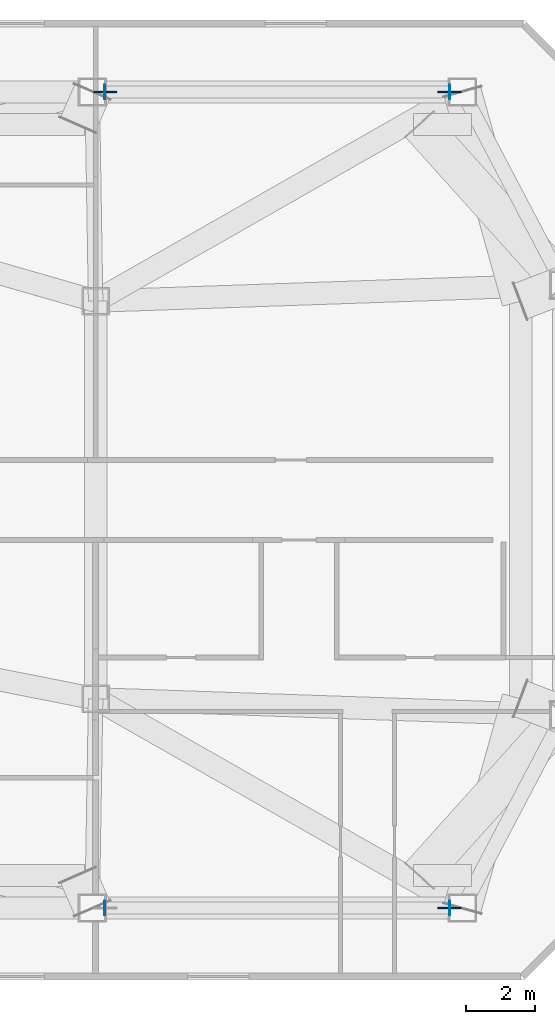
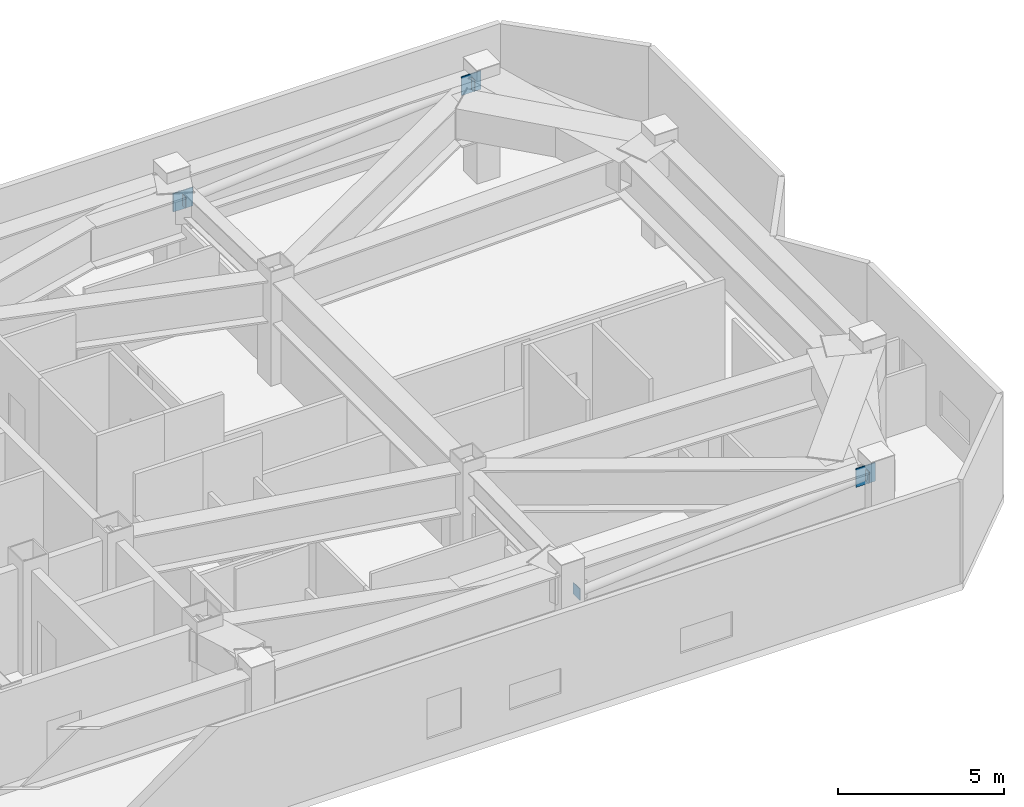
# One storey, part 5 of 9: 7 plates.
"""IFC4 building model written with IfcOpenShell, lengths in metres."""

from ifc_helpers import new_model, si_unit, direction, frame, origin, origin_2d, place, context, subcontext, project, spatial, rectangle, extrude, material, layer, layer_set, type_object, element, save


model = new_model("IFC4")

# Units and contexts
model_context = context("Model", 3, precision=1e-05, world=origin(), true_north=direction((0.0, 1.0)))
body_context = subcontext(model_context, "Body", "Model", "MODEL_VIEW")
ifc_project = project(units=[si_unit("LENGTHUNIT", "METRE"), si_unit("AREAUNIT", "SQUARE_METRE"), si_unit("VOLUMEUNIT", "CUBIC_METRE"), si_unit("PLANEANGLEUNIT", "RADIAN"), si_unit("MASSUNIT", "GRAM", prefix="KILO")], contexts=[model_context])

# Site, building, storey
site_placement = place(None, origin())
site = spatial("IfcSite", under=ifc_project, at=site_placement, CompositionType="ELEMENT")
building_placement = place(site_placement, origin())
building = spatial("IfcBuilding", under=site, at=building_placement, Name="Khamvora Tower", CompositionType="ELEMENT")
storey_placement = place(building_placement, frame((0.0, 0.0, 282.050048828125)))
storey = spatial("IfcBuildingStorey", under=building, at=storey_placement, Name="L72", CompositionType="ELEMENT", Elevation=282.050048828125)

# Plates
ifc_material_1 = material(Name="Steel S355", Category="steel")
ifc_layer_1 = layer(ifc_material_1, 0.02490234375)
ifc_layer_set_1 = layer_set([ifc_layer_1], Name="Steel S355")
plate_type_1 = type_object("IfcPlateType", Name="PL-CAP-25", PredefinedType="SHEET", material=ifc_layer_set_1)
for number, where, z_axis, x_axis, name in (
    (1, (50.76708984375, 16.10009765625, 2.5), (0.0, 0.0, 1.0), (1.0, 0.0, 0.0), "L72 hollow section steel end cap plate 1239"),
    (2, (60.8330078125, 16.10009765625, 3.27685546875), (0.0, 0.0, 1.0), (1.0, 0.0, 0.0), "L72 hollow section steel end cap plate 1240"),
    (3, (50.76708984375, 39.89990234375, 2.5), (0.0, 0.0, 1.0), (1.0, 0.0, 0.0), "L72 hollow section steel end cap plate 1241"),
    (4, (60.8330078125, 39.89990234375, 3.27685546875), (0.0, 0.0, 1.0), (1.0, 0.0, 0.0), "L72 hollow section steel end cap plate 1242"),
):
    element("IfcPlate", number, at=place(storey_placement, frame(where, z_axis=z_axis, x_axis=x_axis)), inside=storey, type_object=plate_type_1, Name=name, PredefinedType="SHEET", context=body_context, shape_type="SweptSolid", body=[
        extrude(rectangle(XDim=0.02490234375, YDim=0.416015625, at=origin_2d()), origin(), (0.0, 0.0, 1.0), 0.416015625),
    ])
ifc_material_2 = material(Name="Steel S460", Category="steel")
ifc_layer_2 = layer(ifc_material_2, 0.0400390625)
ifc_layer_set_2 = layer_set([ifc_layer_2], Name="Steel S460")
plate_type_2 = type_object("IfcPlateType", Name="PLT-GUS-40", PredefinedType="SHEET", material=ifc_layer_set_2)
for number, where, z_axis, x_axis, name in (
    (5, (60.821044921875, 16.10009765625, 3.14404296875), (0.0, 0.0, 1.0), (1.0, 0.0, 0.0), "L72 brace connection node gusset plate 0446"),
    (6, (50.779052734375, 39.89990234375, 2.369140625), (0.0, 0.0, 1.0), (1.0, 0.0, 0.0), "L72 brace connection node gusset plate 0447"),
    (7, (60.821044921875, 39.89990234375, 3.14404296875), (0.0, 0.0, 1.0), (1.0, 0.0, 0.0), "L72 brace connection node gusset plate 0448"),
):
    element("IfcPlate", number, at=place(storey_placement, frame(where, z_axis=z_axis, x_axis=x_axis)), inside=storey, type_object=plate_type_2, Name=name, PredefinedType="SHEET", context=body_context, shape_type="SweptSolid", body=[
        extrude(rectangle(XDim=0.679931640625, YDim=0.0400390625, at=origin_2d()), origin(), (0.0, 0.0, 1.0), 0.679931640625),
    ])

save(model, "model.ifc")
